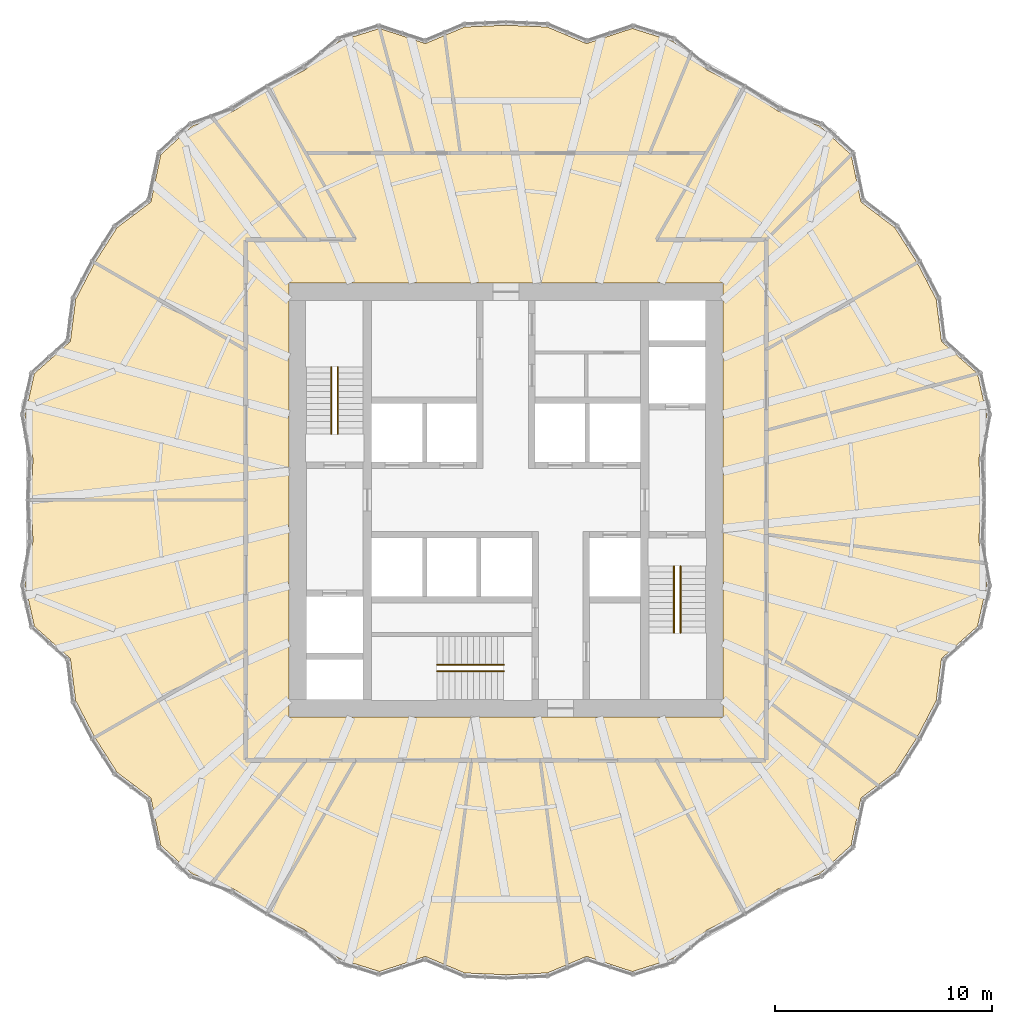
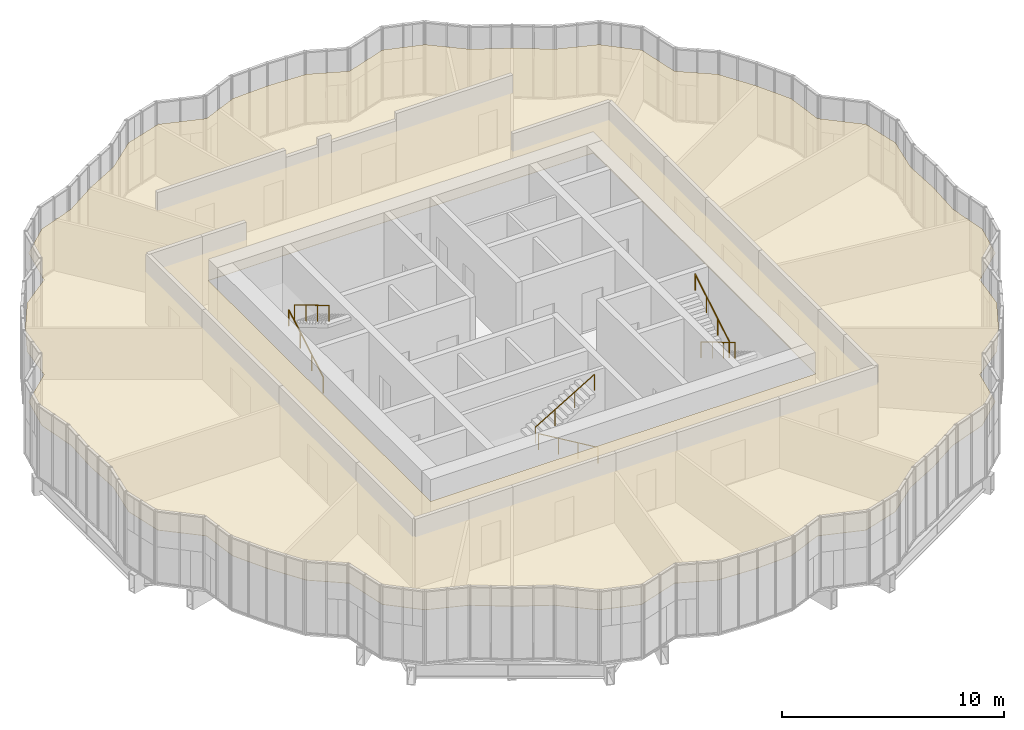
# One storey, part 23 of 23: 6 railings, 1 covering.
"""IFC4 building model written with IfcOpenShell, lengths in metres."""

from ifc_helpers import new_model, si_unit, direction, frame, origin, origin_2d, place, context, subcontext, project, spatial, polyline, circle, outline, extrude, material, layer, layer_set, type_object, element, save


model = new_model("IFC4")

# Units and contexts
model_context = context("Model", 3, precision=1e-05, world=origin(), true_north=direction((0.0, 1.0)))
body_context = subcontext(model_context, "Body", "Model", "MODEL_VIEW")
ifc_project = project(units=[si_unit("LENGTHUNIT", "METRE"), si_unit("AREAUNIT", "SQUARE_METRE"), si_unit("VOLUMEUNIT", "CUBIC_METRE"), si_unit("PLANEANGLEUNIT", "RADIAN"), si_unit("MASSUNIT", "GRAM", prefix="KILO")], contexts=[model_context])

# Site, building, storey
site_placement = place(None, origin())
site = spatial("IfcSite", under=ifc_project, at=site_placement, CompositionType="ELEMENT")
building_placement = place(site_placement, origin())
building = spatial("IfcBuilding", under=site, at=building_placement, Name="Golbaran Civic Tower", CompositionType="ELEMENT")
storey_placement = place(building_placement, frame((0.0, 0.0, 33.0)))
storey = spatial("IfcBuildingStorey", under=building, at=storey_placement, Name="L07", CompositionType="ELEMENT", Elevation=33.0)

# Railings
ifc_material_1 = material(Name="Stainless steel", Category="steel")
railing_type = type_object("IfcRailingType", Name="STAIR HANDRAIL 900", PredefinedType="HANDRAIL", material=ifc_material_1)
railing_1_placement = place(storey_placement, frame((-8.050048828125, 3.050048828125, 0.166748046875)))
element("IfcRailing", 1, at=railing_1_placement, inside=storey, type_object=railing_type, Name="Stair S1 handrail flight 1 L07", PredefinedType="HANDRAIL", context=body_context, shape_type="SweptSolid", body=[
    extrude(circle(Radius=0.02392578125, at=origin_2d()), frame((0.0, 0.0, 0.8759765625), z_axis=(0.0, 0.859290745958, 0.51148745235), x_axis=(-1.0, 0.0, 0.0)), (0.0, 0.0, 1.0), 3.584228515625),
    extrude(circle(Radius=0.02099609375, at=origin_2d()), origin(), (0.0, 0.0, 1.0), 0.851806640625),
    extrude(circle(Radius=0.02099609375, at=origin_2d()), frame((0.0, 1.026611328125, 0.611083984375)), (0.0, 0.0, 1.0), 0.851806640625),
    extrude(circle(Radius=0.02099609375, at=origin_2d()), frame((0.0, 2.05322265625, 1.22216796875)), (0.0, 0.0, 1.0), 0.851806640625),
    extrude(circle(Radius=0.02099609375, at=origin_2d()), frame((0.0, 3.079833984375, 1.833251953125)), (0.0, 0.0, 1.0), 0.851806640625),
])
for number, where, name in (
    (2, (-7.75, 6.1298828125, 2.166748046875), "Stair S1 handrail flight 2 L07"),
    (3, (8.050048828125, -3.050048828125, 0.166748046875), "Stair S2 handrail flight 1 L07"),
):
    element("IfcRailing", number, at=place(storey_placement, frame(where)), inside=storey, type_object=railing_type, Name=name, PredefinedType="HANDRAIL", context=body_context, shape_type="SweptSolid", body=[
        extrude(circle(Radius=0.02392578125, at=origin_2d()), frame((0.0, 0.0, 0.8759765625), z_axis=(0.0, -0.859290745958, 0.51148745235), x_axis=(1.0, 0.0, 0.0)), (0.0, 0.0, 1.0), 3.584228515625),
        extrude(circle(Radius=0.02099609375, at=origin_2d()), origin(), (0.0, 0.0, 1.0), 0.851806640625),
        extrude(circle(Radius=0.02099609375, at=origin_2d()), frame((0.0, -1.026611328125, 0.611083984375)), (0.0, 0.0, 1.0), 0.851806640625),
        extrude(circle(Radius=0.02099609375, at=origin_2d()), frame((0.0, -2.05322265625, 1.22216796875)), (0.0, 0.0, 1.0), 0.851806640625),
        extrude(circle(Radius=0.02099609375, at=origin_2d()), frame((0.0, -3.079833984375, 1.833251953125)), (0.0, 0.0, 1.0), 0.851806640625),
    ])
railing_2_placement = place(storey_placement, frame((7.75, -6.1298828125, 2.166748046875)))
element("IfcRailing", 4, at=railing_2_placement, inside=storey, type_object=railing_type, Name="Stair S2 handrail flight 2 L07", PredefinedType="HANDRAIL", context=body_context, shape_type="SweptSolid", body=[
    extrude(circle(Radius=0.02392578125, at=origin_2d()), frame((0.0, 0.0, 0.8759765625), z_axis=(0.0, 0.859290745958, 0.51148745235), x_axis=(-1.0, 0.0, 0.0)), (0.0, 0.0, 1.0), 3.584228515625),
    extrude(circle(Radius=0.02099609375, at=origin_2d()), origin(), (0.0, 0.0, 1.0), 0.851806640625),
    extrude(circle(Radius=0.02099609375, at=origin_2d()), frame((0.0, 1.026611328125, 0.611083984375)), (0.0, 0.0, 1.0), 0.851806640625),
    extrude(circle(Radius=0.02099609375, at=origin_2d()), frame((0.0, 2.05322265625, 1.22216796875)), (0.0, 0.0, 1.0), 0.851806640625),
    extrude(circle(Radius=0.02099609375, at=origin_2d()), frame((0.0, 3.079833984375, 1.833251953125)), (0.0, 0.0, 1.0), 0.851806640625),
])
railing_3_placement = place(storey_placement, frame((-0.10009765625, -7.89990234375, 0.166748046875)))
element("IfcRailing", 5, at=railing_3_placement, inside=storey, type_object=railing_type, Name="Stair S3 handrail flight 1 L07", PredefinedType="HANDRAIL", context=body_context, shape_type="SweptSolid", body=[
    extrude(circle(Radius=0.02392578125, at=origin_2d()), frame((0.0, 0.0, 0.8759765625), z_axis=(-0.859290745958, 0.0, 0.51148745235), x_axis=(0.0, -1.0, 0.0)), (0.0, 0.0, 1.0), 3.584228515625),
    extrude(circle(Radius=0.02099609375, at=origin_2d()), origin(), (0.0, 0.0, 1.0), 0.851806640625),
    extrude(circle(Radius=0.02099609375, at=origin_2d()), frame((-1.026611328125, 0.0, 0.611083984375)), (0.0, 0.0, 1.0), 0.851806640625),
    extrude(circle(Radius=0.02099609375, at=origin_2d()), frame((-2.05322265625, 0.0, 1.22216796875)), (0.0, 0.0, 1.0), 0.851806640625),
    extrude(circle(Radius=0.02099609375, at=origin_2d()), frame((-3.079833984375, 0.0, 1.833251953125)), (0.0, 0.0, 1.0), 0.851806640625),
])
railing_4_placement = place(storey_placement, frame((-3.179931640625, -7.60009765625, 2.166748046875)))
element("IfcRailing", 6, at=railing_4_placement, inside=storey, type_object=railing_type, Name="Stair S3 handrail flight 2 L07", PredefinedType="HANDRAIL", context=body_context, shape_type="SweptSolid", body=[
    extrude(circle(Radius=0.02392578125, at=origin_2d()), frame((0.0, 0.0, 0.8759765625), z_axis=(0.859290745958, 0.0, 0.51148745235), x_axis=(0.0, 1.0, 0.0)), (0.0, 0.0, 1.0), 3.584228515625),
    extrude(circle(Radius=0.02099609375, at=origin_2d()), origin(), (0.0, 0.0, 1.0), 0.851806640625),
    extrude(circle(Radius=0.02099609375, at=origin_2d()), frame((1.026611328125, 0.0, 0.611083984375)), (0.0, 0.0, 1.0), 0.851806640625),
    extrude(circle(Radius=0.02099609375, at=origin_2d()), frame((2.05322265625, 0.0, 1.22216796875)), (0.0, 0.0, 1.0), 0.851806640625),
    extrude(circle(Radius=0.02099609375, at=origin_2d()), frame((3.079833984375, 0.0, 1.833251953125)), (0.0, 0.0, 1.0), 0.851806640625),
])

# Covering
ifc_material_2 = material(Name="Mineral fibre tile on steel grid", Category="steel")
ifc_layer = layer(ifc_material_2, 0.02001953125, Name="Mineral fibre tile on steel grid")
ifc_layer_set = layer_set([ifc_layer], Name="Mineral fibre tile on steel grid")
covering_type = type_object("IfcCoveringType", Name="SUSPENDED CEILING 600 TILE 20", PredefinedType="CEILING", material=ifc_layer_set)
covering_placement = place(storey_placement, frame((0.0, 0.0, 2.800048828125)))
element("IfcCovering", 7, at=covering_placement, inside=storey, type_object=covering_type, Name="Suspended ceiling L07", PredefinedType="CEILING", context=body_context, shape_type="SweptSolid", body=[
    extrude(outline(polyline([(-21.746826171875, 5.826904296875), (-20.085693359375, 7.310546875), (-19.842529296875, 9.252685546875), (-18.960693359375, 10.947021484375), (-17.934326171875, 12.557861328125), (-16.3740234375, 13.739501953125), (-15.919677734375, 15.919677734375), (-14.4716796875, 17.24658203125), (-12.557861328125, 17.934326171875), (-10.947021484375, 18.960693359375), (-9.252685546875, 19.842529296875), (-7.7001953125, 21.156005859375), (-5.826904296875, 21.746826171875), (-3.711669921875, 21.050048828125), (-1.908203125, 21.810546875), (0.0, 21.893798828125), (1.908203125, 21.810546875), (3.711669921875, 21.050048828125), (5.826904296875, 21.746826171875), (7.7001953125, 21.156005859375), (9.252685546875, 19.842529296875), (10.947021484375, 18.960693359375), (12.557861328125, 17.934326171875), (14.4716796875, 17.24658203125), (15.919677734375, 15.919677734375), (16.3740234375, 13.739501953125), (17.934326171875, 12.557861328125), (18.960693359375, 10.947021484375), (19.842529296875, 9.252685546875), (20.085693359375, 7.310546875), (21.746826171875, 5.826904296875), (22.171875, 3.909423828125), (21.810546875, 1.908203125), (21.893798828125, 0.0), (21.810546875, -1.908203125), (22.171875, -3.909423828125), (21.746826171875, -5.826904296875), (20.085693359375, -7.310546875), (19.842529296875, -9.252685546875), (18.960693359375, -10.947021484375), (17.934326171875, -12.557861328125), (16.3740234375, -13.739501953125), (15.919677734375, -15.919677734375), (14.4716796875, -17.24658203125), (12.557861328125, -17.934326171875), (10.947021484375, -18.960693359375), (9.252685546875, -19.842529296875), (7.7001953125, -21.156005859375), (5.826904296875, -21.746826171875), (3.711669921875, -21.050048828125), (1.908203125, -21.810546875), (0.0, -21.893798828125), (-1.908203125, -21.810546875), (-3.711669921875, -21.050048828125), (-5.826904296875, -21.746826171875), (-7.7001953125, -21.156005859375), (-9.252685546875, -19.842529296875), (-10.947021484375, -18.960693359375), (-12.557861328125, -17.934326171875), (-14.4716796875, -17.24658203125), (-15.919677734375, -15.919677734375), (-16.3740234375, -13.739501953125), (-17.934326171875, -12.557861328125), (-18.960693359375, -10.947021484375), (-19.842529296875, -9.252685546875), (-20.085693359375, -7.310546875), (-21.746826171875, -5.826904296875), (-22.171875, -3.909423828125), (-21.810546875, -1.908203125), (-21.893798828125, 0.0), (-21.810546875, 1.908203125), (-22.171875, 3.909423828125), (-21.746826171875, 5.826904296875)]), holes=[polyline([(-10.0, 10.0), (-10.0, -10.0), (10.0, -10.0), (10.0, 10.0), (-10.0, 10.0)])]), origin(), (0.0, 0.0, 1.0), 0.02001953125),
])

save(model, "model.ifc")
